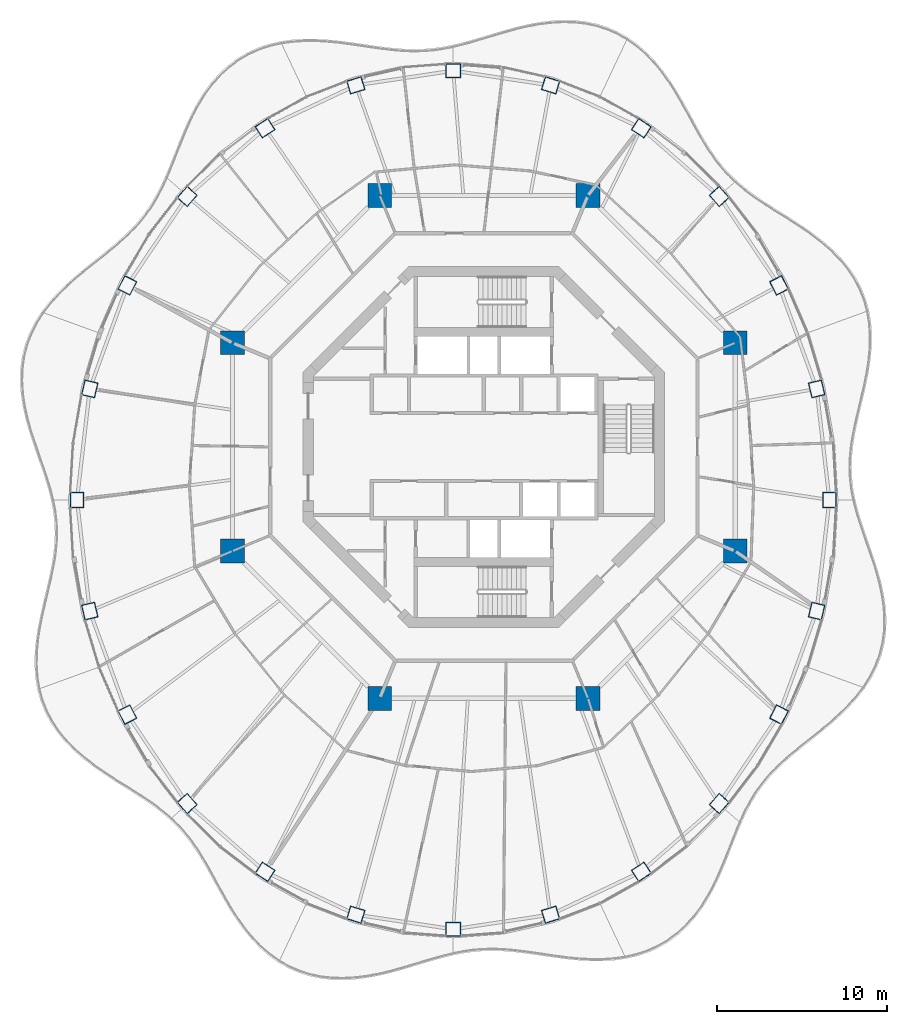
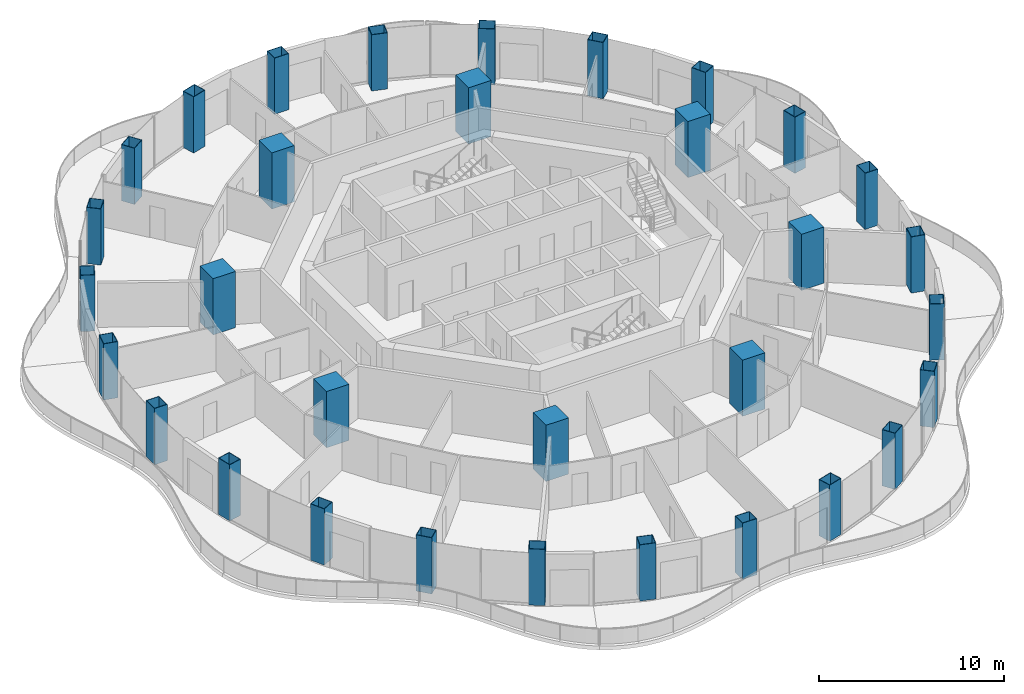
# One storey, part 1 of 17: 32 columns.
"""IFC4 building model written with IfcOpenShell, lengths in metres."""

from ifc_helpers import new_model, si_unit, direction, frame, origin, origin_2d, place, context, subcontext, project, spatial, rectangle, hollow_rectangle, extrude, material, material_profile, profile_set, type_object, element, save


model = new_model("IFC4")

# Units and contexts
model_context = context("Model", 3, precision=1e-05, world=origin(), true_north=direction((0.0, 1.0)))
body_context = subcontext(model_context, "Body", "Model", "MODEL_VIEW")
ifc_project = project(units=[si_unit("LENGTHUNIT", "METRE"), si_unit("AREAUNIT", "SQUARE_METRE"), si_unit("VOLUMEUNIT", "CUBIC_METRE"), si_unit("PLANEANGLEUNIT", "RADIAN"), si_unit("MASSUNIT", "GRAM", prefix="KILO")], contexts=[model_context])

# Site, building, storey
site_placement = place(None, origin())
site = spatial("IfcSite", under=ifc_project, at=site_placement, CompositionType="ELEMENT")
building_placement = place(site_placement, origin())
building = spatial("IfcBuilding", under=site, at=building_placement, Name="Nagisa Residences", CompositionType="ELEMENT")
storey_placement = place(building_placement, frame((0.0, 0.0, 265.89990234375)))
storey = spatial("IfcBuildingStorey", under=building, at=storey_placement, Name="L67", CompositionType="ELEMENT", Elevation=265.89990234375)

# Columns
ifc_material_1 = material(Name="Concrete C80", Category="concrete")
ifc_material_profile_1 = material_profile(ifc_material_1, rectangle(XDim=1.39990234375, YDim=1.39990234375, at=origin_2d()), Name="C80 1400x1400")
ifc_profile_set_1 = profile_set([ifc_material_profile_1], Name="Concrete C80")
column_type_1 = type_object("IfcColumnType", Name="Inner megacolumn C80 1400x1400", PredefinedType="COLUMN", material=ifc_profile_set_1)
for number, where, z_axis, x_axis, name in (
    (1, (14.781982421875, 6.123046875, 0.0), (0.0, 0.0, 1.0), (1.0, 0.0, 0.0), "col:L67:i1"),
    (2, (6.123046875, 14.781982421875, 0.0), (0.0, 0.0, 1.0), (1.0, 0.0, 0.0), "col:L67:i2"),
    (3, (-6.123046875, 14.781982421875, 0.0), (0.0, 0.0, 1.0), (1.0, 0.0, 0.0), "col:L67:i3"),
    (4, (-14.781982421875, 6.123046875, 0.0), (0.0, 0.0, 1.0), (1.0, 0.0, 0.0), "col:L67:i4"),
    (5, (-14.781982421875, -6.123046875, 0.0), (0.0, 0.0, 1.0), (1.0, 0.0, 0.0), "col:L67:i5"),
    (6, (-6.123046875, -14.781982421875, 0.0), (0.0, 0.0, 1.0), (1.0, 0.0, 0.0), "col:L67:i6"),
    (7, (6.123046875, -14.781982421875, 0.0), (0.0, 0.0, 1.0), (1.0, 0.0, 0.0), "col:L67:i7"),
    (8, (14.781982421875, -6.123046875, 0.0), (0.0, 0.0, 1.0), (1.0, 0.0, 0.0), "col:L67:i8"),
):
    element("IfcColumn", number, at=place(storey_placement, frame(where, z_axis=z_axis, x_axis=x_axis)), inside=storey, type_object=column_type_1, Name=name, PredefinedType="COLUMN", context=body_context, shape_type="SweptSolid", body=[
        extrude(rectangle(XDim=1.39990234375, YDim=1.39990234375, at=origin_2d()), origin(), (0.0, 0.0, 1.0), 3.7001953125),
    ])
ifc_material_2 = material(Name="Steel ASTM A572 Gr 50", Category="steel")
ifc_material_profile_2 = material_profile(ifc_material_2, hollow_rectangle(XDim=0.89990234375, YDim=0.800048828125, WallThickness=0.028076171875, at=origin_2d()), Name="BX 900x800x28")
ifc_profile_set_2 = profile_set([ifc_material_profile_2], Name="Steel ASTM A572 Gr 50")
column_type_2 = type_object("IfcColumnType", Name="Perimeter column BX 900x800x28", PredefinedType="COLUMN", material=ifc_profile_set_2)
for number, where, z_axis, x_axis, name in (
    (9, (20.320068359375, -3.11767578125, 0.0), (0.0, 0.0, 1.0), (0.0, 1.0, 0.0), "col:L67:p00"),
    (10, (19.566162109375, 3.414794921875, 0.0), (0.0, 0.0, 1.0), (-0.229202013103, 0.973378876486, 0.0), "col:L67:p01"),
    (11, (17.3564453125, 9.502197265625, 0.0), (0.0, 0.0, 1.0), (-0.452462697578, 0.891783329795, 0.0), "col:L67:p02"),
    (12, (13.84130859375, 14.729736328125, 0.0), (0.0, 0.0, 1.0), (-0.660114607735, 0.751164898445, 0.0), "col:L67:p03"),
    (13, (9.260009765625, 18.74072265625, 0.0), (0.0, 0.0, 1.0), (-0.835766105673, 0.54908561865, 0.0), "col:L67:p04"),
    (14, (3.925048828125, 21.26220703125, 0.0), (0.0, 0.0, 1.0), (-0.956524583408, 0.291651712384, 0.0), "col:L67:p05"),
    (15, (-1.800048828125, 22.122314453125, 0.0), (0.0, 0.0, 1.0), (-1.0, 0.0, 0.0), "col:L67:p06"),
    (16, (-7.525146484375, 21.26220703125, 0.0), (0.0, 0.0, 1.0), (-0.956524583408, -0.291651712384, 0.0), "col:L67:p07"),
    (17, (-12.860107421875, 18.74072265625, 0.0), (0.0, 0.0, 1.0), (-0.835766105673, -0.54908561865, 0.0), "col:L67:p08"),
    (18, (-17.441162109375, 14.729736328125, 0.0), (0.0, 0.0, 1.0), (-0.660114607735, -0.751164898445, 0.0), "col:L67:p09"),
    (19, (-20.95654296875, 9.502197265625, 0.0), (0.0, 0.0, 1.0), (-0.452462697578, -0.891783329795, 0.0), "col:L67:p10"),
    (20, (-23.166259765625, 3.414794921875, 0.0), (0.0, 0.0, 1.0), (-0.229202013103, -0.973378876486, 0.0), "col:L67:p11"),
    (21, (-23.919921875, -3.11767578125, 0.0), (0.0, 0.0, 1.0), (0.0, -1.0, 0.0), "col:L67:p12"),
    (22, (-23.166259765625, -9.650390625, 0.0), (0.0, 0.0, 1.0), (0.229202013103, -0.973378876486, 0.0), "col:L67:p13"),
    (23, (-20.95654296875, -15.73779296875, 0.0), (0.0, 0.0, 1.0), (0.452462697578, -0.891783329795, 0.0), "col:L67:p14"),
    (24, (-17.441162109375, -20.965087890625, 0.0), (0.0, 0.0, 1.0), (0.660114607735, -0.751164898445, 0.0), "col:L67:p15"),
    (25, (-12.860107421875, -24.97607421875, 0.0), (0.0, 0.0, 1.0), (0.835766105673, -0.54908561865, 0.0), "col:L67:p16"),
    (26, (-7.525146484375, -27.49755859375, 0.0), (0.0, 0.0, 1.0), (0.956524583408, -0.291651712384, 0.0), "col:L67:p17"),
    (27, (-1.800048828125, -28.357666015625, 0.0), (0.0, 0.0, 1.0), (1.0, 0.0, 0.0), "col:L67:p18"),
    (28, (3.925048828125, -27.49755859375, 0.0), (0.0, 0.0, 1.0), (0.956524583408, 0.291651712384, 0.0), "col:L67:p19"),
    (29, (9.260009765625, -24.97607421875, 0.0), (0.0, 0.0, 1.0), (0.835766105673, 0.54908561865, 0.0), "col:L67:p20"),
    (30, (13.84130859375, -20.965087890625, 0.0), (0.0, 0.0, 1.0), (0.660114607735, 0.751164898445, 0.0), "col:L67:p21"),
    (31, (17.3564453125, -15.73779296875, 0.0), (0.0, 0.0, 1.0), (0.452462697578, 0.891783329795, 0.0), "col:L67:p22"),
    (32, (19.566162109375, -9.650390625, 0.0), (0.0, 0.0, 1.0), (0.229202013103, 0.973378876486, 0.0), "col:L67:p23"),
):
    element("IfcColumn", number, at=place(storey_placement, frame(where, z_axis=z_axis, x_axis=x_axis)), inside=storey, type_object=column_type_2, Name=name, PredefinedType="COLUMN", context=body_context, shape_type="SweptSolid", body=[
        extrude(hollow_rectangle(XDim=0.89990234375, YDim=0.800048828125, WallThickness=0.028076171875, at=origin_2d()), origin(), (0.0, 0.0, 1.0), 3.7001953125),
    ])

save(model, "model.ifc")
